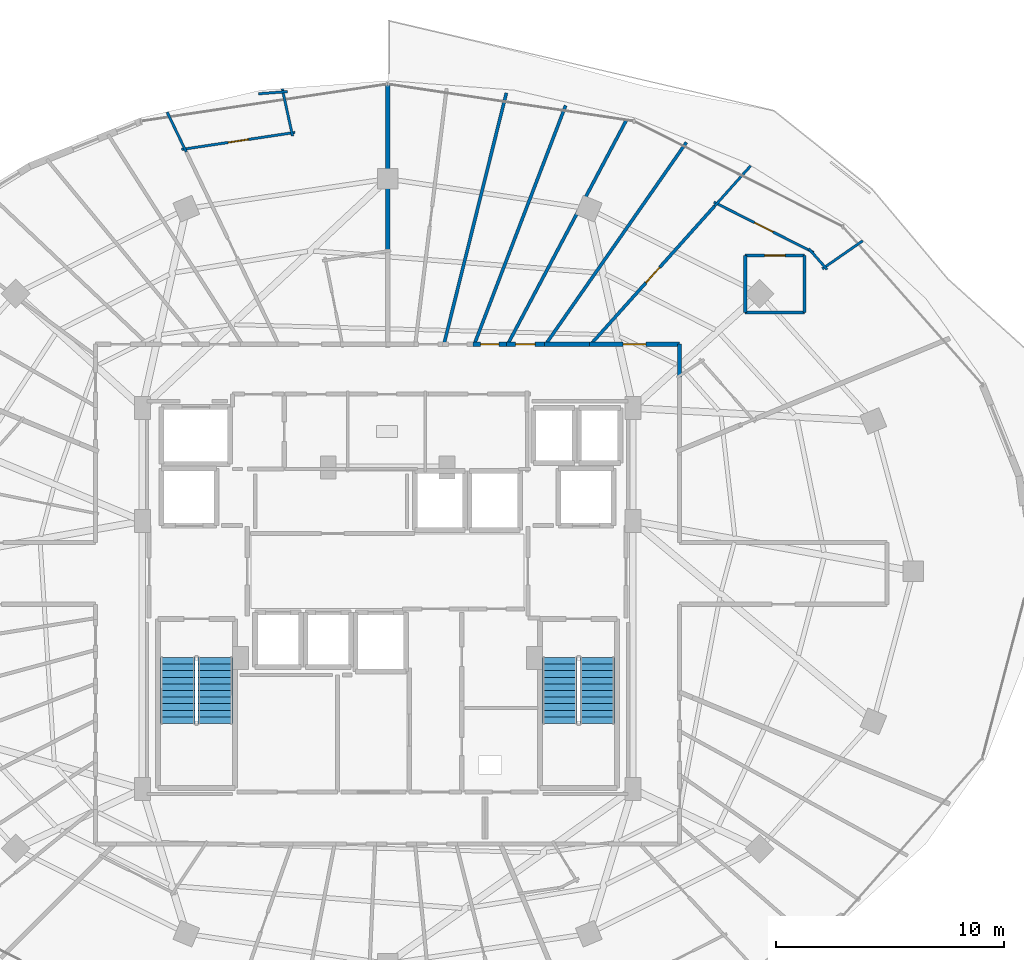
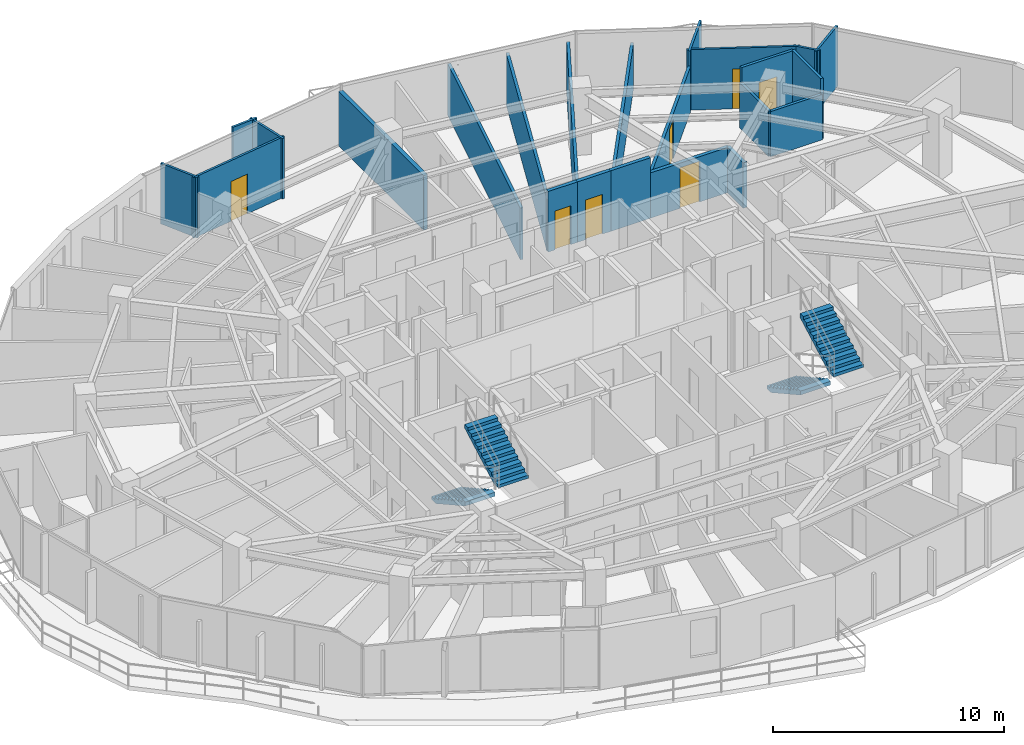
# One storey, part 30 of 33: 23 walls, 7 doors, 4 stair flights, 7 openings, 2 elements without a shape of their own.
"""IFC4 building model written with IfcOpenShell, lengths in metres."""

from ifc_helpers import new_model, si_unit, direction, frame, frame_2d, origin, place, context, subcontext, project, spatial, polyline, rectangle, outline, extrude, material, layer, layer_set, type_object, element, fill, aggregate, save


model = new_model("IFC4")

# Units and contexts
model_context = context("Model", 3, precision=1e-05, world=origin(), true_north=direction((0.0, 1.0)))
body_context = subcontext(model_context, "Body", "Model", "MODEL_VIEW")
ifc_project = project(units=[si_unit("LENGTHUNIT", "METRE"), si_unit("AREAUNIT", "SQUARE_METRE"), si_unit("VOLUMEUNIT", "CUBIC_METRE"), si_unit("PLANEANGLEUNIT", "RADIAN"), si_unit("MASSUNIT", "GRAM", prefix="KILO")], contexts=[model_context])

# Site, building, storey
site_placement = place(None, origin())
site = spatial("IfcSite", under=ifc_project, at=site_placement, CompositionType="ELEMENT")
building_placement = place(site_placement, origin())
building = spatial("IfcBuilding", under=site, at=building_placement, Name="Vorneva Point Tower", CompositionType="ELEMENT")
storey_placement = place(building_placement, frame((0.0, 0.0, 221.39990234375)))
storey = spatial("IfcBuildingStorey", under=building, at=storey_placement, Name="L60", CompositionType="ELEMENT", Elevation=221.39990234375)

# Wall
ifc_material_1 = material(Name="Fire-rated acoustic gypsum stud partition", Category="gypsum")
ifc_layer_1 = layer(ifc_material_1, 0.110107421875)
ifc_layer_set_1 = layer_set([ifc_layer_1], Name="Fire-rated acoustic gypsum stud partition")
wall_type_1 = type_object("IfcWallType", Name="WL-PART-110", PredefinedType="PARTITIONING", material=ifc_layer_set_1)
wall_1_placement = place(storey_placement, frame((57.265625, 39.22705078125, 0.0), z_axis=(0.0, 0.0, 1.0), x_axis=(-0.662352650652, 0.749192209099, 0.0)))
element("IfcWall", 1, at=wall_1_placement, inside=storey, type_object=wall_type_1, Name="L60 Interior Partition 083", PredefinedType="PARTITIONING", context=body_context, shape_type="SweptSolid", body=[
    extrude(rectangle(XDim=1.214599609375, YDim=0.110107421875, at=frame_2d((0.607421875, 0.0))), origin(), (0.0, 0.0, 1.0), 3.2001953125),
])

# Wall, opening, door
wall_2_placement = place(storey_placement, frame((56.678955078125, 39.968994140625, 0.0), z_axis=(0.0, 0.0, 1.0), x_axis=(-0.892574903925, 0.450899147131, 0.0)))
wall_2 = element("IfcWall", 2, at=wall_2_placement, inside=storey, type_object=wall_type_1, Name="L60 Interior Partition 084", PredefinedType="PARTITIONING", context=body_context, shape_type="SweptSolid", body=[
    extrude(rectangle(XDim=4.89697265625, YDim=0.110107421875, at=frame_2d((2.448486328125, 0.0))), origin(), (0.0, 0.0, 1.0), 3.2001953125),
])
opening_1_placement = place(wall_2_placement, frame((1.99853515625, 0.0, 0.0)))
opening_1 = element("IfcOpeningElement", 3, at=opening_1_placement, cuts=wall_2, Name="Opening ID-01", PredefinedType="OPENING", context=body_context, shape_type="SweptSolid", body=[
    extrude(rectangle(XDim=0.89990234375, YDim=2.10009765625, at=frame_2d((0.449951171875, 1.050048828125))), frame((0.0, 0.06982421875, 0.0), z_axis=(0.0, -1.0, 0.0), x_axis=(1.0, 0.0, 0.0)), (0.0, 0.0, 1.0), 0.139892578125),
])
ifc_material_2 = material(Name="Engineered oak fire-rated door leaf", Category="wood")
door_type_1 = type_object("IfcDoorType", Name="DR-ROOM-900", OperationType="NOTDEFINED", PredefinedType="DOOR", material=ifc_material_2)
door_1_placement = place(opening_1_placement, origin())
door_1 = element("IfcDoor", 4, at=door_1_placement, inside=storey, type_object=door_type_1, Name="L60 Door Living and Dining Room L60-01 / Kitchen L60-01", OperationType="SINGLE_SWING_RIGHT", OverallHeight=2.10009765625, OverallWidth=0.89990234375, PredefinedType="DOOR", context=body_context, shape_type="SweptSolid", body=[
    extrude(rectangle(XDim=0.89990234375, YDim=2.10009765625, at=frame_2d((0.449951171875, 1.050048828125))), frame((0.0, 0.02490234375, 0.0), z_axis=(0.0, -1.0, 0.0), x_axis=(1.0, 0.0, 0.0)), (0.0, 0.0, 1.0), 0.050048828125),
])
fill(opening_1, door_1)

# Walls
wall_3_placement = place(storey_placement, frame((52.339599609375, 42.009765625, 0.0), z_axis=(0.0, 0.0, 1.0), x_axis=(0.667118090827, 0.744951980259, 0.0)))
element("IfcWall", 5, at=wall_3_placement, inside=storey, type_object=wall_type_1, Name="L60 Interior Partition 085", PredefinedType="PARTITIONING", context=body_context, shape_type="SweptSolid", body=[
    extrude(rectangle(XDim=2.36181640625, YDim=0.110107421875, at=frame_2d((1.180908203125, 0.0))), origin(), (0.0, 0.0, 1.0), 3.2001953125),
])
wall_4_placement = place(storey_placement, frame((58.827880859375, 40.48291015625, 0.0), z_axis=(0.0, 0.0, 1.0), x_axis=(-0.820999835833, -0.570928427705, 0.0)))
element("IfcWall", 6, at=wall_4_placement, inside=storey, type_object=wall_type_1, Name="L60 Interior Partition 086", PredefinedType="PARTITIONING", context=body_context, shape_type="SweptSolid", body=[
    extrude(rectangle(XDim=2.155517578125, YDim=0.110107421875, at=frame_2d((1.07763671875, 0.0))), origin(), (0.0, 0.0, 1.0), 3.2001953125),
])
wall_5_placement = place(storey_placement, frame((33.385009765625, 47.143798828125, 0.0), z_axis=(0.0, 0.0, 1.0), x_axis=(0.213521424511, -0.976938381514, 0.0)))
element("IfcWall", 7, at=wall_5_placement, inside=storey, type_object=wall_type_1, Name="L60 Interior Partition 103", PredefinedType="PARTITIONING", context=body_context, shape_type="SweptSolid", body=[
    extrude(rectangle(XDim=2.116455078125, YDim=0.110107421875, at=frame_2d((1.05810546875, 0.0))), origin(), (0.0, 0.0, 1.0), 3.2001953125),
])

# Wall, opening, door
wall_6_placement = place(storey_placement, frame((33.9453125, 45.23388671875, 0.0), z_axis=(0.0, 0.0, 1.0), x_axis=(-0.988872134662, -0.148767944424, 0.0)))
wall_6 = element("IfcWall", 8, at=wall_6_placement, inside=storey, type_object=wall_type_1, Name="L60 Interior Partition 104", PredefinedType="PARTITIONING", context=body_context, shape_type="SweptSolid", body=[
    extrude(rectangle(XDim=5.026611328125, YDim=0.110107421875, at=frame_2d((2.51318359375, 0.0))), origin(), (0.0, 0.0, 1.0), 3.2001953125),
])
opening_2_placement = place(wall_6_placement, frame((2.0634765625, 0.0, 0.0)))
opening_2 = element("IfcOpeningElement", 9, at=opening_2_placement, cuts=wall_6, Name="Opening ID-01", PredefinedType="OPENING", context=body_context, shape_type="SweptSolid", body=[
    extrude(rectangle(XDim=0.89990234375, YDim=2.10009765625, at=frame_2d((0.449951171875, 1.050048828125))), frame((0.0, 0.06982421875, 0.0), z_axis=(0.0, -1.0, 0.0), x_axis=(1.0, 0.0, 0.0)), (0.0, 0.0, 1.0), 0.139892578125),
])
door_2_placement = place(opening_2_placement, origin())
door_2 = element("IfcDoor", 10, at=door_2_placement, inside=storey, type_object=door_type_1, Name="L60 Door Living and Dining Room L60-02 / Kitchen L60-02", OperationType="SINGLE_SWING_RIGHT", OverallHeight=2.10009765625, OverallWidth=0.89990234375, PredefinedType="DOOR", context=body_context, shape_type="SweptSolid", body=[
    extrude(rectangle(XDim=0.89990234375, YDim=2.10009765625, at=frame_2d((0.449951171875, 1.050048828125))), frame((0.0, 0.02490234375, 0.0), z_axis=(0.0, -1.0, 0.0), x_axis=(1.0, 0.0, 0.0)), (0.0, 0.0, 1.0), 0.050048828125),
])
fill(opening_2, door_2)

# Walls
wall_7_placement = place(storey_placement, frame((29.173583984375, 44.380859375, 0.0), z_axis=(0.0, 0.0, 1.0), x_axis=(-0.432866492457, 0.901458041014, 0.0)))
element("IfcWall", 11, at=wall_7_placement, inside=storey, type_object=wall_type_1, Name="L60 Interior Partition 105", PredefinedType="PARTITIONING", context=body_context, shape_type="SweptSolid", body=[
    extrude(rectangle(XDim=1.93408203125, YDim=0.110107421875, at=frame_2d((0.967041015625, 0.0))), origin(), (0.0, 0.0, 1.0), 3.2001953125),
])
wall_8_placement = place(storey_placement, frame((33.614501953125, 47.0224609375, 0.0), z_axis=(0.0, 0.0, 1.0), x_axis=(-0.997207179737, -0.074684942803, 0.0)))
element("IfcWall", 12, at=wall_8_placement, inside=storey, type_object=wall_type_1, Name="L60 Interior Partition 106", PredefinedType="PARTITIONING", context=body_context, shape_type="SweptSolid", body=[
    extrude(rectangle(XDim=1.271728515625, YDim=0.110107421875, at=frame_2d((0.6357421875, 0.0))), origin(), (0.0, 0.0, 1.0), 3.2001953125),
])

# Wall, opening, door
ifc_layer_2 = layer(ifc_material_1, 0.139892578125)
ifc_layer_set_2 = layer_set([ifc_layer_2], Name="Fire-rated acoustic gypsum stud partition")
wall_type_2 = type_object("IfcWallType", Name="WL-PART-140", PredefinedType="PARTITIONING", material=ifc_layer_set_2)
wall_9_placement = place(storey_placement, frame((56.277099609375, 39.837890625, 0.0), z_axis=(0.0, 0.0, 1.0), x_axis=(-1.0, 0.0, 0.0)))
wall_9 = element("IfcWall", 13, at=wall_9_placement, inside=storey, type_object=wall_type_2, Name="L60 Interior Partition 087", PredefinedType="PARTITIONING", context=body_context, shape_type="SweptSolid", body=[
    extrude(rectangle(XDim=2.60009765625, YDim=0.139892578125, at=frame_2d((1.300048828125, 0.0))), origin(), (0.0, 0.0, 1.0), 3.2001953125),
])
opening_3_placement = place(wall_9_placement, frame((0.85009765625, 0.0, 0.0)))
opening_3 = element("IfcOpeningElement", 14, at=opening_3_placement, cuts=wall_9, Name="Opening ID-01", PredefinedType="OPENING", context=body_context, shape_type="SweptSolid", body=[
    extrude(rectangle(XDim=0.89990234375, YDim=2.10009765625, at=frame_2d((0.449951171875, 1.050048828125))), frame((0.0, 0.0849609375, 0.0), z_axis=(0.0, -1.0, 0.0), x_axis=(1.0, 0.0, 0.0)), (0.0, 0.0, 1.0), 0.169677734375),
])
door_3_placement = place(opening_3_placement, origin())
door_3 = element("IfcDoor", 15, at=door_3_placement, inside=storey, type_object=door_type_1, Name="L60 Door Living and Dining Room L60-01 / Study Room L60-01", OperationType="SINGLE_SWING_LEFT", OverallHeight=2.10009765625, OverallWidth=0.89990234375, PredefinedType="DOOR", context=body_context, shape_type="SweptSolid", body=[
    extrude(rectangle(XDim=0.89990234375, YDim=2.10009765625, at=frame_2d((0.449951171875, 1.050048828125))), frame((0.0, 0.02490234375, 0.0), z_axis=(0.0, -1.0, 0.0), x_axis=(1.0, 0.0, 0.0)), (0.0, 0.0, 1.0), 0.050048828125),
])
fill(opening_3, door_3)

# Walls
wall_10_placement = place(storey_placement, frame((53.677001953125, 39.837890625, 0.0), z_axis=(0.0, 0.0, 1.0), x_axis=(0.0, -1.0, 0.0)))
element("IfcWall", 16, at=wall_10_placement, inside=storey, type_object=wall_type_2, Name="L60 Interior Partition 088", PredefinedType="PARTITIONING", context=body_context, shape_type="SweptSolid", body=[
    extrude(rectangle(XDim=2.5, YDim=0.139892578125, at=frame_2d((1.25, 0.0))), origin(), (0.0, 0.0, 1.0), 2.39208984375),
])
wall_11_placement = place(storey_placement, frame((53.677001953125, 37.337890625, 0.0), z_axis=(0.0, 0.0, 1.0), x_axis=(1.0, 0.0, 0.0)))
element("IfcWall", 17, at=wall_11_placement, inside=storey, type_object=wall_type_2, Name="L60 Interior Partition 089", PredefinedType="PARTITIONING", context=body_context, shape_type="SweptSolid", body=[
    extrude(rectangle(XDim=2.60009765625, YDim=0.139892578125, at=frame_2d((1.300048828125, 0.0))), origin(), (0.0, 0.0, 1.0), 2.39208984375),
])
wall_12_placement = place(storey_placement, frame((56.277099609375, 37.337890625, 0.0), z_axis=(0.0, 0.0, 1.0), x_axis=(0.0, 1.0, 0.0)))
element("IfcWall", 18, at=wall_12_placement, inside=storey, type_object=wall_type_2, Name="L60 Interior Partition 090", PredefinedType="PARTITIONING", context=body_context, shape_type="SweptSolid", body=[
    extrude(rectangle(XDim=2.5, YDim=0.139892578125, at=frame_2d((1.25, 0.0))), origin(), (0.0, 0.0, 1.0), 3.2001953125),
])

# Wall, opening, door
wall_13_placement = place(storey_placement, frame((52.339599609375, 42.009765625, 0.0), z_axis=(0.0, 0.0, 1.0), x_axis=(-0.667173742476, -0.744902139445, 0.0)))
wall_13 = element("IfcWall", 19, at=wall_13_placement, inside=storey, type_object=wall_type_2, Name="L60 Interior Partition 091", PredefinedType="PARTITIONING", context=body_context, shape_type="SweptSolid", body=[
    extrude(rectangle(XDim=8.135009765625, YDim=0.139892578125, at=frame_2d((4.0673828125, 0.0))), origin(), (0.0, 0.0, 1.0), 2.39208984375),
])
opening_4_placement = place(wall_13_placement, frame((3.617431640625, 0.0, 0.0)))
opening_4 = element("IfcOpeningElement", 20, at=opening_4_placement, cuts=wall_13, Name="Opening ID-01", PredefinedType="OPENING", context=body_context, shape_type="SweptSolid", body=[
    extrude(rectangle(XDim=0.89990234375, YDim=2.10009765625, at=frame_2d((0.449951171875, 1.050048828125))), frame((0.0, 0.0849609375, 0.0), z_axis=(0.0, -1.0, 0.0), x_axis=(1.0, 0.0, 0.0)), (0.0, 0.0, 1.0), 0.169677734375),
])
door_4_placement = place(opening_4_placement, origin())
door_4 = element("IfcDoor", 21, at=door_4_placement, inside=storey, type_object=door_type_1, Name="L60 Door Living and Dining Room L60-01 / Master Bedroom L60-01.1", OperationType="SINGLE_SWING_RIGHT", OverallHeight=2.10009765625, OverallWidth=0.89990234375, PredefinedType="DOOR", context=body_context, shape_type="SweptSolid", body=[
    extrude(rectangle(XDim=0.89990234375, YDim=2.10009765625, at=frame_2d((0.449951171875, 1.050048828125))), frame((0.0, 0.02490234375, 0.0), z_axis=(0.0, -1.0, 0.0), x_axis=(1.0, 0.0, 0.0)), (0.0, 0.0, 1.0), 0.050048828125),
])
fill(opening_4, door_4)

# Walls
wall_14_placement = place(storey_placement, frame((51.09912109375, 44.794921875, 0.0), z_axis=(0.0, 0.0, 1.0), x_axis=(-0.571754326018, -0.82042488424, 0.0)))
element("IfcWall", 22, at=wall_14_placement, inside=storey, type_object=wall_type_2, Name="L60 Interior Partition 094", PredefinedType="PARTITIONING", context=body_context, shape_type="SweptSolid", body=[
    extrude(rectangle(XDim=10.781005859375, YDim=0.139892578125, at=frame_2d((5.390625, 0.0))), origin(), (0.0, 0.0, 1.0), 2.39208984375),
])
wall_15_placement = place(storey_placement, frame((48.48193359375, 45.797119140625, 0.0), z_axis=(0.0, 0.0, 1.0), x_axis=(-0.46793402924, -0.883763398359, 0.0)))
element("IfcWall", 23, at=wall_15_placement, inside=storey, type_object=wall_type_2, Name="L60 Interior Partition 095", PredefinedType="PARTITIONING", context=body_context, shape_type="SweptSolid", body=[
    extrude(rectangle(XDim=11.142333984375, YDim=0.139892578125, at=frame_2d((5.5712890625, 0.0))), origin(), (0.0, 0.0, 1.0), 2.734130859375),
])
wall_16_placement = place(storey_placement, frame((45.804931640625, 46.412109375, 0.0), z_axis=(0.0, 0.0, 1.0), x_axis=(-0.357119008819, -0.934058891901, 0.0)))
element("IfcWall", 24, at=wall_16_placement, inside=storey, type_object=wall_type_2, Name="L60 Interior Partition 096", PredefinedType="PARTITIONING", context=body_context, shape_type="SweptSolid", body=[
    extrude(rectangle(XDim=11.20068359375, YDim=0.139892578125, at=frame_2d((5.600341796875, 0.0))), origin(), (0.0, 0.0, 1.0), 2.734130859375),
])
wall_17_placement = place(storey_placement, frame((43.20703125, 46.9609375, 0.0), z_axis=(0.0, 0.0, 1.0), x_axis=(-0.241072089133, -0.970507211638, 0.0)))
element("IfcWall", 25, at=wall_17_placement, inside=storey, type_object=wall_type_2, Name="L60 Interior Partition 097", PredefinedType="PARTITIONING", context=body_context, shape_type="SweptSolid", body=[
    extrude(rectangle(XDim=11.345703125, YDim=0.139892578125, at=frame_2d((5.6728515625, 0.0))), origin(), (0.0, 0.0, 1.0), 2.734130859375),
])
ifc_material_3 = material(Name="Autoclaved aerated concrete blockwork", Category="masonry")
ifc_layer_3 = layer(ifc_material_3, 0.179931640625)
ifc_layer_set_3 = layer_set([ifc_layer_3], Name="Autoclaved aerated concrete blockwork")
wall_type_3 = type_object("IfcWallType", Name="WL-PART-180", PredefinedType="PARTITIONING", material=ifc_layer_set_3)
wall_18_placement = place(storey_placement, frame((50.800048828125, 34.50390625, 0.0), z_axis=(0.0, 0.0, 1.0), x_axis=(0.0, 1.0, 0.0)))
element("IfcWall", 26, at=wall_18_placement, inside=storey, type_object=wall_type_3, Name="L60 Interior Partition 030", PredefinedType="PARTITIONING", context=body_context, shape_type="SweptSolid", body=[
    extrude(rectangle(XDim=1.446044921875, YDim=0.179931640625, at=frame_2d((0.72314453125, 0.0))), origin(), (0.0, 0.0, 1.0), 2.39208984375),
])

# Wall, opening, door
wall_19_placement = place(storey_placement, frame((50.800048828125, 35.949951171875, 0.0), z_axis=(0.0, 0.0, 1.0), x_axis=(-1.0, 0.0, 0.0)))
wall_19 = element("IfcWall", 27, at=wall_19_placement, inside=storey, type_object=wall_type_3, Name="L60 Interior Partition 031", PredefinedType="PARTITIONING", context=body_context, shape_type="SweptSolid", body=[
    extrude(rectangle(XDim=3.947998046875, YDim=0.179931640625, at=frame_2d((1.97412109375, 0.0))), origin(), (0.0, 0.0, 1.0), 2.39208984375),
])
opening_5_placement = place(wall_19_placement, frame((1.47412109375, 0.0, 0.0)))
opening_5 = element("IfcOpeningElement", 28, at=opening_5_placement, cuts=wall_19, Name="Opening UD-01", PredefinedType="OPENING", context=body_context, shape_type="SweptSolid", body=[
    extrude(rectangle(XDim=1.0, YDim=2.14990234375, at=frame_2d((0.5, 1.074951171875))), frame((0.0, 0.10498046875, 0.0), z_axis=(0.0, -1.0, 0.0), x_axis=(1.0, 0.0, 0.0)), (0.0, 0.0, 1.0), 0.209716796875),
])
door_type_2 = type_object("IfcDoorType", Name="DR-UNIT-1000", OperationType="NOTDEFINED", PredefinedType="DOOR", material=ifc_material_2)
door_5_placement = place(opening_5_placement, origin())
door_5 = element("IfcDoor", 29, at=door_5_placement, inside=storey, type_object=door_type_2, Name="L60 Door L60 Circulation Corridor / Living and Dining Room L60-01", OperationType="SINGLE_SWING_LEFT", OverallHeight=2.14990234375, OverallWidth=1.0, PredefinedType="DOOR", context=body_context, shape_type="SweptSolid", body=[
    extrude(rectangle(XDim=1.0, YDim=2.14990234375, at=frame_2d((0.5, 1.074951171875))), frame((0.0, 0.02490234375, 0.0), z_axis=(0.0, -1.0, 0.0), x_axis=(1.0, 0.0, 0.0)), (0.0, 0.0, 1.0), 0.050048828125),
])
fill(opening_5, door_5)

# Wall
wall_20_placement = place(storey_placement, frame((46.85205078125, 35.949951171875, 0.0), z_axis=(0.0, 0.0, 1.0), x_axis=(-1.0, 0.0, 0.0)))
element("IfcWall", 30, at=wall_20_placement, inside=storey, type_object=wall_type_3, Name="L60 Interior Partition 033", PredefinedType="PARTITIONING", context=body_context, shape_type="SweptSolid", body=[
    extrude(rectangle(XDim=1.97705078125, YDim=0.179931640625, at=frame_2d((0.988525390625, 0.0))), origin(), (0.0, 0.0, 1.0), 3.2001953125),
])

# Wall, opening, door
wall_21_placement = place(storey_placement, frame((44.875, 35.949951171875, 0.0), z_axis=(0.0, 0.0, 1.0), x_axis=(-1.0, 0.0, 0.0)))
wall_21 = element("IfcWall", 31, at=wall_21_placement, inside=storey, type_object=wall_type_3, Name="L60 Interior Partition 034", PredefinedType="PARTITIONING", context=body_context, shape_type="SweptSolid", body=[
    extrude(rectangle(XDim=1.6669921875, YDim=0.179931640625, at=frame_2d((0.83349609375, 0.0))), origin(), (0.0, 0.0, 1.0), 3.2001953125),
])
opening_6_placement = place(wall_21_placement, frame((0.408447265625, 0.0, 0.0)))
opening_6 = element("IfcOpeningElement", 32, at=opening_6_placement, cuts=wall_21, Name="Opening ID-02", PredefinedType="OPENING", context=body_context, shape_type="SweptSolid", body=[
    extrude(rectangle(XDim=0.85009765625, YDim=2.10009765625, at=frame_2d((0.425048828125, 1.050048828125))), frame((0.0, 0.10498046875, 0.0), z_axis=(0.0, -1.0, 0.0), x_axis=(1.0, 0.0, 0.0)), (0.0, 0.0, 1.0), 0.209716796875),
])
door_type_3 = type_object("IfcDoorType", Name="DR-BATH-850", OperationType="NOTDEFINED", PredefinedType="DOOR", material=ifc_material_2)
door_6_placement = place(opening_6_placement, origin())
door_6 = element("IfcDoor", 33, at=door_6_placement, inside=storey, type_object=door_type_3, Name="L60 Access Door L60 Circulation Corridor", OperationType="SINGLE_SWING_RIGHT", OverallHeight=2.10009765625, OverallWidth=0.85009765625, PredefinedType="DOOR", context=body_context, shape_type="SweptSolid", body=[
    extrude(rectangle(XDim=0.85009765625, YDim=2.10009765625, at=frame_2d((0.425048828125, 1.050048828125))), frame((0.0, 0.02490234375, 0.0), z_axis=(0.0, -1.0, 0.0), x_axis=(1.0, 0.0, 0.0)), (0.0, 0.0, 1.0), 0.050048828125),
])
fill(opening_6, door_6)

wall_22_placement = place(storey_placement, frame((43.2080078125, 35.949951171875, 0.0), z_axis=(0.0, 0.0, 1.0), x_axis=(-1.0, 0.0, 0.0)))
wall_22 = element("IfcWall", 34, at=wall_22_placement, inside=storey, type_object=wall_type_3, Name="L60 Interior Partition 035", PredefinedType="PARTITIONING", context=body_context, shape_type="SweptSolid", body=[
    extrude(rectangle(XDim=1.462890625, YDim=0.179931640625, at=frame_2d((0.7314453125, 0.0))), origin(), (0.0, 0.0, 1.0), 3.2001953125),
])
opening_7_placement = place(wall_22_placement, frame((0.33154296875, 0.0, 0.0)))
opening_7 = element("IfcOpeningElement", 35, at=opening_7_placement, cuts=wall_22, Name="Opening RD-01", PredefinedType="OPENING", context=body_context, shape_type="SweptSolid", body=[
    extrude(rectangle(XDim=0.800048828125, YDim=2.050048828125, at=frame_2d((0.39990234375, 1.02490234375))), frame((0.0, 0.10498046875, 0.0), z_axis=(0.0, -1.0, 0.0), x_axis=(1.0, 0.0, 0.0)), (0.0, 0.0, 1.0), 0.209716796875),
])
ifc_material_4 = material(Name="Fire-rated powder-coated steel", Category="steel")
door_type_4 = type_object("IfcDoorType", Name="DR-RSR-800", OperationType="SINGLE_SWING_LEFT", PredefinedType="DOOR", material=ifc_material_4)
door_7_placement = place(opening_7_placement, origin())
door_7 = element("IfcDoor", 36, at=door_7_placement, inside=storey, type_object=door_type_4, Name="L60 Access Door L60 Circulation Corridor", OperationType="SINGLE_SWING_RIGHT", OverallHeight=2.050048828125, OverallWidth=0.800048828125, PredefinedType="DOOR", context=body_context, shape_type="SweptSolid", body=[
    extrude(rectangle(XDim=0.800048828125, YDim=2.050048828125, at=frame_2d((0.39990234375, 1.02490234375))), frame((0.0, 0.02490234375, 0.0), z_axis=(0.0, -1.0, 0.0), x_axis=(1.0, 0.0, 0.0)), (0.0, 0.0, 1.0), 0.050048828125),
])
fill(opening_7, door_7)

# Wall
ifc_layer_4 = layer(ifc_material_3, 0.199951171875)
ifc_layer_set_4 = layer_set([ifc_layer_4], Name="Autoclaved aerated concrete blockwork")
wall_type_4 = type_object("IfcWallType", Name="WL-PART-200", PredefinedType="PARTITIONING", material=ifc_layer_set_4)
wall_23_placement = place(storey_placement, frame((38.0, 47.35009765625, 0.0), z_axis=(0.0, 0.0, 1.0), x_axis=(0.0, -1.0, 0.0)))
element("IfcWall", 37, at=wall_23_placement, inside=storey, type_object=wall_type_4, Name="L60 Interior Partition 099", PredefinedType="PARTITIONING", context=body_context, shape_type="SweptSolid", body=[
    extrude(rectangle(XDim=7.375, YDim=0.199951171875, at=frame_2d((3.6875, 0.0))), origin(), (0.0, 0.0, 1.0), 2.88916015625),
])

# Stair, stair flights
ifc_material_5 = material(Name="Concrete B50 (C40/50)", Category="concrete")
stair_type = type_object("IfcStairType", Name="ST-DOG-1500", PredefinedType="HALF_TURN_STAIR", material=ifc_material_5)
stair_1_placement = place(storey_placement, origin())
stair_1 = element("IfcStair", 38, at=stair_1_placement, inside=storey, type_object=stair_type, Name="L60 ST1", PredefinedType="HALF_TURN_STAIR")
stair_flight_type = type_object("IfcStairFlightType", Name="STF-1500", PredefinedType="STRAIGHT", material=ifc_material_5)
stair_flight_1_placement = place(storey_placement, frame((28.800048828125, 22.219970703125, 0.0), z_axis=(0.0, 0.0, 1.0), x_axis=(0.0, -1.0, 0.0)))
stair_flight_1 = element("IfcStairFlight", 39, at=stair_flight_1_placement, type_object=stair_flight_type, Name="ST1 flight 1", NumberOfRisers=11, NumberOfTreads=10, PredefinedType="STRAIGHT", RiserHeight=0.161363636, TreadLength=0.29, context=body_context, shape_type="SweptSolid", body=[
    extrude(outline(polyline([(0.0, 0.0), (0.0, 0.161376953125), (0.2900390625, 0.161376953125), (0.2900390625, 0.32275390625), (0.580078125, 0.32275390625), (0.580078125, 0.484130859375), (0.8701171875, 0.484130859375), (0.8701171875, 0.6455078125), (1.159912109375, 0.6455078125), (1.159912109375, 0.806884765625), (1.449951171875, 0.806884765625), (1.449951171875, 0.96826171875), (1.739990234375, 0.96826171875), (1.739990234375, 1.129638671875), (2.030029296875, 1.129638671875), (2.030029296875, 1.291015625), (2.320068359375, 1.291015625), (2.320068359375, 1.452392578125), (2.610107421875, 1.452392578125), (2.610107421875, 1.613525390625), (2.89990234375, 1.613525390625), (2.89990234375, 1.77490234375), (2.89990234375, 1.40771484375), (0.3701171875, 0.0), (0.0, 0.0)])), frame((0.0, 0.75, 0.0), z_axis=(0.0, -1.0, 0.0), x_axis=(1.0, 0.0, 0.0)), (0.0, 0.0, 1.0), 1.5),
])
stair_flight_2_placement = place(storey_placement, frame((30.449951171875, 19.320068359375, 1.775146484375), z_axis=(0.0, 0.0, 1.0), x_axis=(0.0, 1.0, 0.0)))
stair_flight_2 = element("IfcStairFlight", 40, at=stair_flight_2_placement, type_object=stair_flight_type, Name="ST1 flight 2", NumberOfRisers=11, NumberOfTreads=10, PredefinedType="STRAIGHT", RiserHeight=0.161363636, TreadLength=0.29, context=body_context, shape_type="SweptSolid", body=[
    extrude(outline(polyline([(0.0, 0.0), (0.0, 0.161376953125), (0.2900390625, 0.161376953125), (0.2900390625, 0.32275390625), (0.580078125, 0.32275390625), (0.580078125, 0.484130859375), (0.8701171875, 0.484130859375), (0.8701171875, 0.6455078125), (1.159912109375, 0.6455078125), (1.159912109375, 0.806884765625), (1.449951171875, 0.806884765625), (1.449951171875, 0.96826171875), (1.739990234375, 0.96826171875), (1.739990234375, 1.129638671875), (2.030029296875, 1.129638671875), (2.030029296875, 1.291015625), (2.320068359375, 1.291015625), (2.320068359375, 1.452392578125), (2.610107421875, 1.452392578125), (2.610107421875, 1.613525390625), (2.89990234375, 1.613525390625), (2.89990234375, 1.77490234375), (2.89990234375, 1.40771484375), (0.3701171875, 0.0), (0.0, 0.0)])), frame((0.0, 0.75, 0.0), z_axis=(0.0, -1.0, 0.0), x_axis=(1.0, 0.0, 0.0)), (0.0, 0.0, 1.0), 1.5),
])
aggregate(stair_1, [stair_flight_1, stair_flight_2])

stair_2_placement = place(storey_placement, origin())
stair_2 = element("IfcStair", 41, at=stair_2_placement, inside=storey, type_object=stair_type, Name="L60 ST2", PredefinedType="HALF_TURN_STAIR")
stair_flight_3_placement = place(storey_placement, frame((45.550048828125, 22.219970703125, 0.0), z_axis=(0.0, 0.0, 1.0), x_axis=(0.0, -1.0, 0.0)))
stair_flight_3 = element("IfcStairFlight", 42, at=stair_flight_3_placement, type_object=stair_flight_type, Name="ST2 flight 1", NumberOfRisers=11, NumberOfTreads=10, PredefinedType="STRAIGHT", RiserHeight=0.161363636, TreadLength=0.29, context=body_context, shape_type="SweptSolid", body=[
    extrude(outline(polyline([(0.0, 0.0), (0.0, 0.161376953125), (0.2900390625, 0.161376953125), (0.2900390625, 0.32275390625), (0.580078125, 0.32275390625), (0.580078125, 0.484130859375), (0.8701171875, 0.484130859375), (0.8701171875, 0.6455078125), (1.159912109375, 0.6455078125), (1.159912109375, 0.806884765625), (1.449951171875, 0.806884765625), (1.449951171875, 0.96826171875), (1.739990234375, 0.96826171875), (1.739990234375, 1.129638671875), (2.030029296875, 1.129638671875), (2.030029296875, 1.291015625), (2.320068359375, 1.291015625), (2.320068359375, 1.452392578125), (2.610107421875, 1.452392578125), (2.610107421875, 1.613525390625), (2.89990234375, 1.613525390625), (2.89990234375, 1.77490234375), (2.89990234375, 1.40771484375), (0.3701171875, 0.0), (0.0, 0.0)])), frame((0.0, 0.75, 0.0), z_axis=(0.0, -1.0, 0.0), x_axis=(1.0, 0.0, 0.0)), (0.0, 0.0, 1.0), 1.5),
])
stair_flight_4_placement = place(storey_placement, frame((47.199951171875, 19.320068359375, 1.775146484375), z_axis=(0.0, 0.0, 1.0), x_axis=(0.0, 1.0, 0.0)))
stair_flight_4 = element("IfcStairFlight", 43, at=stair_flight_4_placement, type_object=stair_flight_type, Name="ST2 flight 2", NumberOfRisers=11, NumberOfTreads=10, PredefinedType="STRAIGHT", RiserHeight=0.161363636, TreadLength=0.29, context=body_context, shape_type="SweptSolid", body=[
    extrude(outline(polyline([(0.0, 0.0), (0.0, 0.161376953125), (0.2900390625, 0.161376953125), (0.2900390625, 0.32275390625), (0.580078125, 0.32275390625), (0.580078125, 0.484130859375), (0.8701171875, 0.484130859375), (0.8701171875, 0.6455078125), (1.159912109375, 0.6455078125), (1.159912109375, 0.806884765625), (1.449951171875, 0.806884765625), (1.449951171875, 0.96826171875), (1.739990234375, 0.96826171875), (1.739990234375, 1.129638671875), (2.030029296875, 1.129638671875), (2.030029296875, 1.291015625), (2.320068359375, 1.291015625), (2.320068359375, 1.452392578125), (2.610107421875, 1.452392578125), (2.610107421875, 1.613525390625), (2.89990234375, 1.613525390625), (2.89990234375, 1.77490234375), (2.89990234375, 1.40771484375), (0.3701171875, 0.0), (0.0, 0.0)])), frame((0.0, 0.75, 0.0), z_axis=(0.0, -1.0, 0.0), x_axis=(1.0, 0.0, 0.0)), (0.0, 0.0, 1.0), 1.5),
])
aggregate(stair_2, [stair_flight_3, stair_flight_4])

save(model, "model.ifc")
